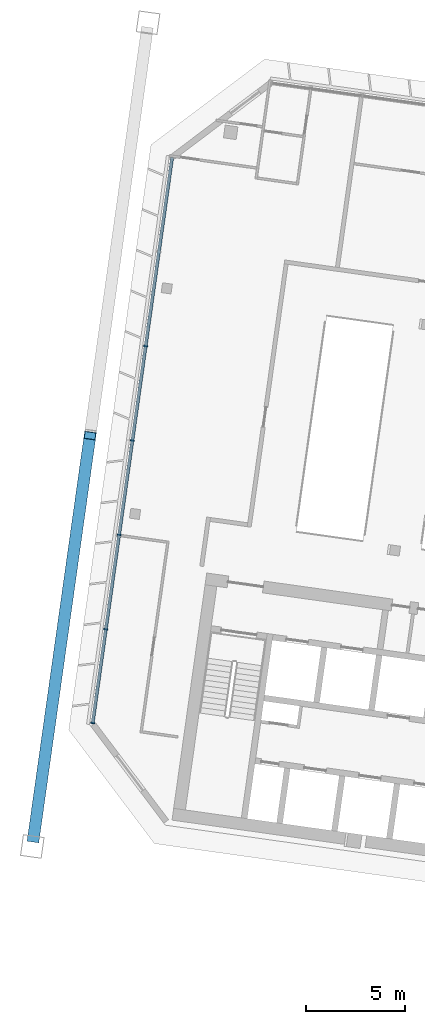
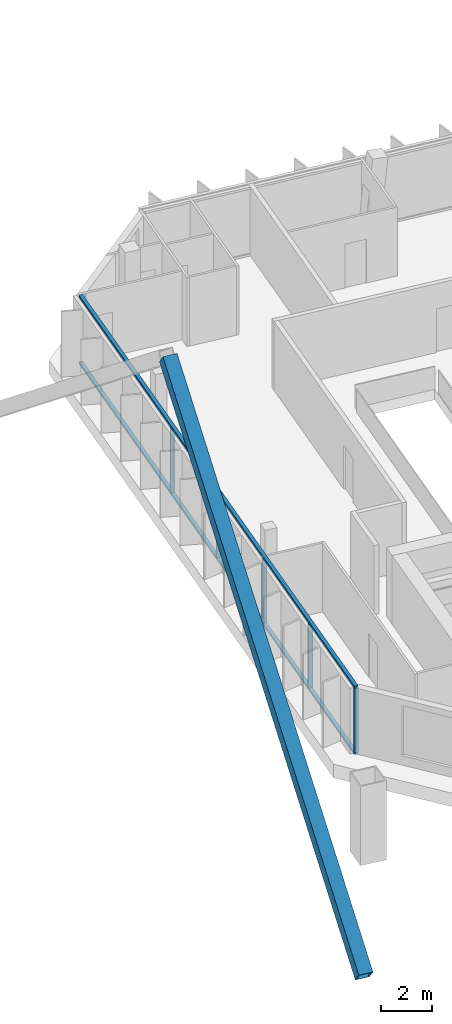
# One storey, part 2 of 28: 8 members, 1 element without a shape of its own.
"""IFC4 building model written with IfcOpenShell, lengths in metres."""

import ifcopenshell
import ifcopenshell.guid

model = None  # the IFC model being written
_history = None  # IfcOwnerHistory: only IFC2X3 demands one
_inside = {}  # id of a spatial element -> (the spatial element, [elements in it])
_under = {}  # id of a project, library or spatial element -> (it, [spatial elements below it])
_declared = {}  # id of a project -> (the project, [libraries it declares])
_typed = {}  # id of a type object -> (the type object, [elements of that type])
_made_of = {}  # id of a material, layer set ... -> (it, [elements and type objects made of it])


def new_model(schema):
    """Start an empty IFC model of exactly this schema.

    Asked for "IFC4X3", IfcOpenShell would pick the latest addendum, in which some entities
    have other attributes; the version numbers below select the first issue.
    IFC2X3 requires an IfcOwnerHistory on every rooted entity: one is made here for all.
    """
    global model, _history
    if schema == "IFC4X3":
        model = ifcopenshell.file(schema_version=(4, 3, 0, 0))
    else:
        model = ifcopenshell.file(schema=schema)
    _inside.clear()
    _under.clear()
    _declared.clear()
    _typed.clear()
    _made_of.clear()
    _history = None
    if model.schema == "IFC2X3":
        org = make("IfcOrganization", Name="unknown")
        user = make(
            "IfcPersonAndOrganization",
            ThePerson=make("IfcPerson", FamilyName="unknown"),
            TheOrganization=org,
        )
        app = make(
            "IfcApplication",
            ApplicationDeveloper=org,
            Version="unknown",
            ApplicationFullName="unknown",
            ApplicationIdentifier="unknown",
        )
        _history = make(
            "IfcOwnerHistory",
            OwningUser=user,
            OwningApplication=app,
            ChangeAction="ADDED",
            CreationDate=0,
        )
    return model


def make(cls, **values):
    """One entity of the class cls with the attributes given. An attribute that is None is left unset."""
    return model.create_entity(
        cls, **{name: value for name, value in values.items() if value is not None}
    )


def rooted(cls, **values):
    """An entity with a GlobalId (a new one), such as an element, a storey or a relation."""
    return make(cls, GlobalId=ifcopenshell.guid.new(), OwnerHistory=_history, **values)


def si_unit(unit_type, name, prefix=None):
    """IfcSIUnit, for example si_unit("LENGTHUNIT", "METRE", prefix="MILLI")."""
    return make("IfcSIUnit", UnitType=unit_type, Prefix=prefix, Name=name)


def assignment(units):
    """IfcUnitAssignment: the units of a project."""
    return None if units is None else make("IfcUnitAssignment", Units=units)


def point(xyz):
    """IfcCartesianPoint."""
    return None if xyz is None else make("IfcCartesianPoint", Coordinates=xyz)


def direction(xyz):
    """IfcDirection."""
    return None if xyz is None else make("IfcDirection", DirectionRatios=xyz)


def frame(location, z_axis=None, x_axis=None):
    """IfcAxis2Placement3D, a coordinate frame: its origin and axes. An axis left out is left unset."""
    return make(
        "IfcAxis2Placement3D",
        Location=point(location),
        Axis=direction(z_axis),
        RefDirection=direction(x_axis),
    )


def frame_2d(location, x_axis=None):
    """IfcAxis2Placement2D, a coordinate frame in the plane: its origin and x axis."""
    return make(
        "IfcAxis2Placement2D", Location=point(location), RefDirection=direction(x_axis)
    )


def origin():
    """The frame at (0, 0, 0) with its axes left unset."""
    return frame((0.0, 0.0, 0.0))


def origin_2d():
    """The frame at (0, 0) in the plane with its x axis left unset."""
    return frame_2d((0.0, 0.0))


def place(relative_to, where):
    """IfcLocalPlacement: puts the frame where relative to a parent placement (None: the world)."""
    return make(
        "IfcLocalPlacement", PlacementRelTo=relative_to, RelativePlacement=where
    )


def context(
    kind, dimensions, precision=None, world=None, true_north=None, identifier=None
):
    """IfcGeometricRepresentationContext, for example the 3D "Model" context."""
    return make(
        "IfcGeometricRepresentationContext",
        ContextIdentifier=identifier,
        ContextType=kind,
        CoordinateSpaceDimension=dimensions,
        Precision=precision,
        WorldCoordinateSystem=world,
        TrueNorth=true_north,
    )


def subcontext(parent, identifier, kind, view, scale=None):
    """IfcGeometricRepresentationSubContext, for example "Body" below "Model"."""
    return make(
        "IfcGeometricRepresentationSubContext",
        ContextIdentifier=identifier,
        ContextType=kind,
        ParentContext=parent,
        TargetScale=scale,
        TargetView=view,
    )


def project(units=None, contexts=None):
    """IfcProject with its units and contexts."""
    return rooted(
        "IfcProject",
        Name="project",
        RepresentationContexts=contexts,
        UnitsInContext=assignment(units),
    )


def spatial(cls, under=None, at=None, **own):
    """A site, building, storey or space (cls), placed at a placement, below another one or the project."""
    s = rooted(cls, ObjectPlacement=at, **own)
    if under is not None:
        _under.setdefault(under.id(), (under, []))[1].append(s)
    return s


def profile(cls, at=None, kind="AREA", **sizes):
    """A parametric profile (cls). Its sizes go by their IFC names, for example OverallWidth=200.0."""
    return make(cls, ProfileType=kind, Position=at, **sizes)


def rectangle(**sizes):
    """IfcRectangleProfileDef."""
    return profile("IfcRectangleProfileDef", **sizes)


def hollow_rectangle(**sizes):
    """IfcRectangleHollowProfileDef."""
    return profile("IfcRectangleHollowProfileDef", **sizes)


def extrude(swept, where, along, depth):
    """IfcExtrudedAreaSolid: the profile swept, set in the frame where, extruded along a direction by depth."""
    return make(
        "IfcExtrudedAreaSolid",
        SweptArea=swept,
        Position=where,
        ExtrudedDirection=direction(along),
        Depth=depth,
    )


def shape(context_of_items, identifier, shape_type, items):
    """IfcShapeRepresentation: the items that make up one representation, for example the "Body"."""
    return make(
        "IfcShapeRepresentation",
        ContextOfItems=context_of_items,
        RepresentationIdentifier=identifier,
        RepresentationType=shape_type,
        Items=items,
    )


def material(Name=None, Category=None):
    """IfcMaterial."""
    return make("IfcMaterial", Name=Name, Category=Category)


def material_profile(
    of_material, cross_section, Name=None, Category=None, Priority=None
):
    """IfcMaterialProfile: a cross section and its material."""
    return make(
        "IfcMaterialProfile",
        Name=Name,
        Material=of_material,
        Profile=cross_section,
        Priority=Priority,
        Category=Category,
    )


def profile_set(profiles, Name=None, composite=None):
    """IfcMaterialProfileSet."""
    return make(
        "IfcMaterialProfileSet",
        Name=Name,
        MaterialProfiles=profiles,
        CompositeProfile=composite,
    )


def made_of(thing, what):
    """Note that an element or type object is made of a material, layer set ...; save() writes the relation."""
    if what is not None:
        _made_of.setdefault(what.id(), (what, []))[1].append(thing)
    return thing


def type_object(cls, material=None, **own):
    """A type object (cls), such as IfcWallType, which elements share."""
    return made_of(rooted(cls, **own), material)


def element(
    cls,
    number,
    at=None,
    inside=None,
    cuts=None,
    type_object=None,
    material=None,
    context=None,
    identifier="Body",
    shape_type=None,
    held_by="IfcProductDefinitionShape",
    body=None,
    shapes=None,
    **own,
):
    """One element of the class cls, such as IfcWall. Its Tag is "e" and its number.

    at: its placement. inside: the storey or other place that contains it. cuts: it is an
    opening in that element (IfcRelVoidsElement). A single representation is given by context,
    identifier, shape_type and body (its items); several are given by shapes. held_by: the class
    of the entity that holds the representations. save() writes the other relations.
    """
    e = rooted(cls, Tag="e%d" % number, ObjectPlacement=at, **own)
    if body is not None:
        shapes = [shape(context, identifier, shape_type, body)]
    if shapes is not None:
        e.Representation = make(held_by, Representations=shapes)
    if inside is not None:
        _inside.setdefault(inside.id(), (inside, []))[1].append(e)
    if cuts is not None:
        rooted(
            "IfcRelVoidsElement", RelatingBuildingElement=cuts, RelatedOpeningElement=e
        )
    if type_object is not None:
        _typed.setdefault(type_object.id(), (type_object, []))[1].append(e)
    return made_of(e, material)


def aggregate(whole, parts):
    """IfcRelAggregates: a whole, such as a stair, and the parts it consists of."""
    return rooted("IfcRelAggregates", RelatingObject=whole, RelatedObjects=parts)


def save(model, path):
    """Write the relations noted so far, then the file.

    IfcRelAggregates (storeys below a building ...), IfcRelContainedInSpatialStructure (elements
    in a storey), IfcRelDefinesByType, IfcRelAssociatesMaterial and IfcRelDeclares: one each for
    every whole, place, type object, material and project.
    """
    for whole, parts in _under.values():
        aggregate(whole, parts)
    for where, things in _inside.values():
        rooted(
            "IfcRelContainedInSpatialStructure",
            RelatedElements=things,
            RelatingStructure=where,
        )
    for kind, things in _typed.values():
        rooted("IfcRelDefinesByType", RelatedObjects=things, RelatingType=kind)
    for what, things in _made_of.values():
        rooted("IfcRelAssociatesMaterial", RelatedObjects=things, RelatingMaterial=what)
    for by, libraries in _declared.values():
        rooted("IfcRelDeclares", RelatingContext=by, RelatedDefinitions=libraries)
    model.write(path)


model = new_model("IFC4")

# Units and contexts
model_context = context("Model", 3, precision=1e-05, world=origin(), true_north=direction((0.0, 1.0)))
body_context = subcontext(model_context, "Body", "Model", "MODEL_VIEW")
ifc_project = project(units=[si_unit("LENGTHUNIT", "METRE"), si_unit("AREAUNIT", "SQUARE_METRE"), si_unit("VOLUMEUNIT", "CUBIC_METRE"), si_unit("PLANEANGLEUNIT", "RADIAN"), si_unit("MASSUNIT", "GRAM", prefix="KILO")], contexts=[model_context])

# Site, building, storey
site_placement = place(None, origin())
site = spatial("IfcSite", under=ifc_project, at=site_placement, CompositionType="ELEMENT")
building_placement = place(site_placement, origin())
building = spatial("IfcBuilding", under=site, at=building_placement, Name="Mirante Cascada Hotel Towers", CompositionType="ELEMENT")
storey_placement = place(building_placement, frame((0.0, 0.0, 262.2)))
storey = spatial("IfcBuildingStorey", under=building, at=storey_placement, Name="L63", CompositionType="ELEMENT", Elevation=262.2)

# Member
ifc_material_1 = material(Name="Steel ASTM A572 Gr 50", Category="steel")
ifc_material_profile_1 = material_profile(ifc_material_1, hollow_rectangle(XDim=0.6, YDim=0.6, WallThickness=0.028, at=origin_2d()), Name="Box brace 600x600x28 ASTM A572 Gr 50")
ifc_profile_set_1 = profile_set([ifc_material_profile_1], Name="Steel ASTM A572 Gr 50")
member_type_1 = type_object("IfcMemberType", Name="Box brace 600x600x28 ASTM A572 Gr 50", PredefinedType="BRACE", material=ifc_profile_set_1)
member_1_placement = place(storey_placement, frame((-61.5829, -18.3502, -6.0485), z_axis=(0.108977, 0.7753947, 0.6220025), x_axis=(-0.9902676, 0.1391761, 0.0)))
element("IfcMember", 1, at=member_1_placement, inside=storey, type_object=member_type_1, Name="brace T1 L63 1", PredefinedType="BRACE", context=body_context, shape_type="SweptSolid", body=[
    extrude(hollow_rectangle(XDim=0.6, YDim=0.6, WallThickness=0.028, at=origin_2d()), origin(), (0.0, 0.0, 1.0), 26.2275),
])

# Curtain wall, members
ifc_material_2 = material(Name="Aluminium mullion and transom frame with clear laminated glass", Category="aluminium")
curtain_wall_type = type_object("IfcCurtainWallType", Name="End ribbon curtain wall ECW2", PredefinedType="NOTDEFINED", material=ifc_material_2)
curtain_wall_placement = place(storey_placement, origin())
curtain_wall = element("IfcCurtainWall", 2, at=curtain_wall_placement, inside=storey, type_object=curtain_wall_type, Name="Outer end wall T1 L63", PredefinedType="NOTDEFINED")
ifc_material_3 = material(Name="Anodised aluminium extrusion", Category="aluminium")
ifc_material_profile_2 = material_profile(ifc_material_3, rectangle(XDim=0.2, YDim=0.065, at=origin_2d()), Name="ECW2 MULLION 65x200")
ifc_profile_set_2 = profile_set([ifc_material_profile_2], Name="Anodised aluminium extrusion")
member_type_2 = type_object("IfcMemberType", Name="ECW2 mullion 65x200", PredefinedType="MULLION", material=ifc_profile_set_2)
member_2_placement = place(storey_placement, frame((-58.5935, -12.5284, 0.1), z_axis=(0.0, 0.0, 1.0), x_axis=(-0.9902681, 0.1391731, 0.0)))
member_2 = element("IfcMember", 3, at=member_2_placement, type_object=member_type_2, Name="ECW2 mullion 1", PredefinedType="MULLION", context=body_context, shape_type="SweptSolid", body=[
    extrude(rectangle(XDim=0.2, YDim=0.065, at=origin_2d()), origin(), (0.0, 0.0, 1.0), 3.1),
])
member_3_placement = place(storey_placement, frame((-57.9283, -7.7948, 0.1), z_axis=(0.0, 0.0, 1.0), x_axis=(-0.9902681, 0.1391731, 0.0)))
member_3 = element("IfcMember", 4, at=member_3_placement, type_object=member_type_2, Name="ECW2 mullion 2", PredefinedType="MULLION", context=body_context, shape_type="SweptSolid", body=[
    extrude(rectangle(XDim=0.2, YDim=0.065, at=origin_2d()), origin(), (0.0, 0.0, 1.0), 3.1),
])
member_4_placement = place(storey_placement, frame((-57.2585, -3.029, 0.1), z_axis=(0.0, 0.0, 1.0), x_axis=(-0.9902681, 0.1391731, 0.0)))
member_4 = element("IfcMember", 5, at=member_4_placement, type_object=member_type_2, Name="ECW2 mullion 3", PredefinedType="MULLION", context=body_context, shape_type="SweptSolid", body=[
    extrude(rectangle(XDim=0.2, YDim=0.065, at=origin_2d()), origin(), (0.0, 0.0, 1.0), 3.1),
])
member_5_placement = place(storey_placement, frame((-56.5887, 1.7368, 0.1), z_axis=(0.0, 0.0, 1.0), x_axis=(-0.9902681, 0.1391731, 0.0)))
member_5 = element("IfcMember", 6, at=member_5_placement, type_object=member_type_2, Name="ECW2 mullion 4", PredefinedType="MULLION", context=body_context, shape_type="SweptSolid", body=[
    extrude(rectangle(XDim=0.2, YDim=0.065, at=origin_2d()), origin(), (0.0, 0.0, 1.0), 3.1),
])
member_6_placement = place(storey_placement, frame((-55.9189, 6.5026, 0.1), z_axis=(0.0, 0.0, 1.0), x_axis=(-0.9902681, 0.1391731, 0.0)))
member_6 = element("IfcMember", 7, at=member_6_placement, type_object=member_type_2, Name="ECW2 mullion 5", PredefinedType="MULLION", context=body_context, shape_type="SweptSolid", body=[
    extrude(rectangle(XDim=0.2, YDim=0.065, at=origin_2d()), origin(), (0.0, 0.0, 1.0), 3.1),
])
ifc_material_4 = material(Name="Anodised aluminium extrusion", Category="aluminium")
ifc_material_profile_3 = material_profile(ifc_material_4, rectangle(XDim=0.16, YDim=0.1, at=origin_2d()), Name="ECW2 TRANSOM 100x160")
ifc_profile_set_3 = profile_set([ifc_material_profile_3], Name="Anodised aluminium extrusion")
member_type_3 = type_object("IfcMemberType", Name="ECW2 transom 100x160", PredefinedType="USERDEFINED", material=ifc_profile_set_3)
member_7_placement = place(storey_placement, frame((-58.5981, -12.5606, 0.05), z_axis=(0.1391752, 0.9902678, 0.0), x_axis=(-0.9902678, 0.1391752, 0.0)))
member_7 = element("IfcMember", 8, at=member_7_placement, type_object=member_type_3, Name="ECW2 sill transom", ObjectType="TRANSOM", PredefinedType="USERDEFINED", context=body_context, shape_type="SweptSolid", body=[
    extrude(rectangle(XDim=0.16, YDim=0.1, at=origin_2d()), origin(), (0.0, 0.0, 1.0), 28.8758),
])
member_8_placement = place(storey_placement, frame((-58.5981, -12.5606, 3.25), z_axis=(0.1391752, 0.9902678, 0.0), x_axis=(-0.9902678, 0.1391752, 0.0)))
member_8 = element("IfcMember", 9, at=member_8_placement, type_object=member_type_3, Name="ECW2 head transom", ObjectType="TRANSOM", PredefinedType="USERDEFINED", context=body_context, shape_type="SweptSolid", body=[
    extrude(rectangle(XDim=0.16, YDim=0.1, at=origin_2d()), origin(), (0.0, 0.0, 1.0), 28.8758),
])
aggregate(curtain_wall, [member_7, member_8, member_2, member_3, member_4, member_5, member_6])

save(model, "model.ifc")
